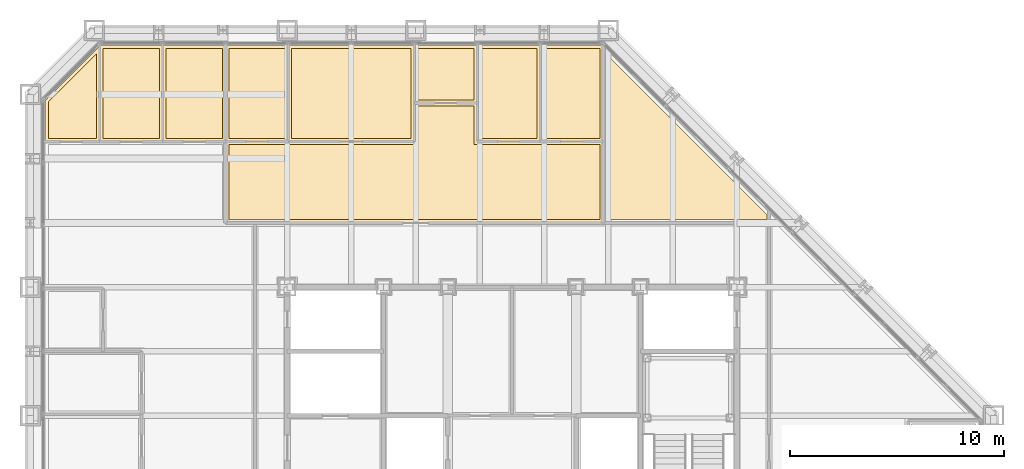
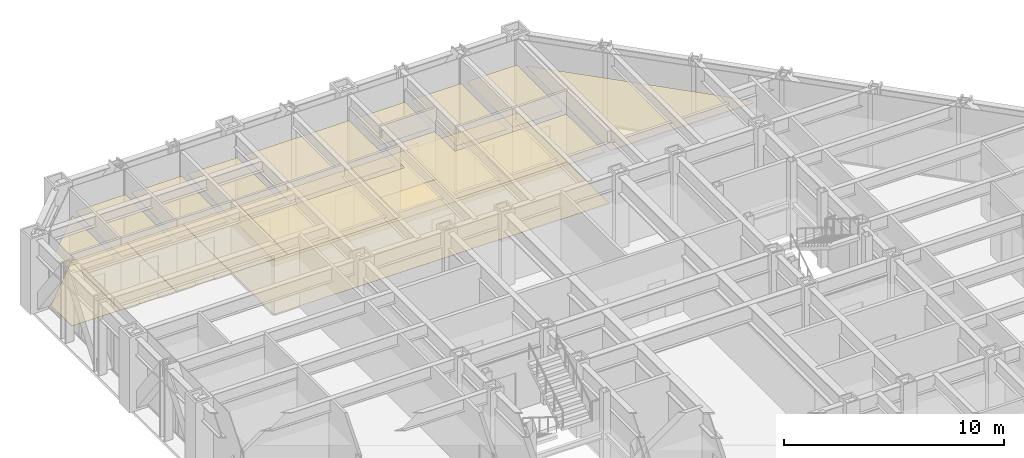
# One storey, part 16 of 16: 19 coverings.
"""IFC4 building model written with IfcOpenShell, lengths in metres."""

from ifc_helpers import new_model, si_unit, direction, frame, origin, place, context, subcontext, project, spatial, polyline, outline, extrude, material, layer, layer_set, type_object, element, save


model = new_model("IFC4")

# Units and contexts
model_context = context("Model", 3, precision=1e-05, world=origin(), true_north=direction((0.0, 1.0)))
body_context = subcontext(model_context, "Body", "Model", "MODEL_VIEW")
ifc_project = project(units=[si_unit("LENGTHUNIT", "METRE"), si_unit("AREAUNIT", "SQUARE_METRE"), si_unit("VOLUMEUNIT", "CUBIC_METRE"), si_unit("PLANEANGLEUNIT", "RADIAN"), si_unit("MASSUNIT", "GRAM", prefix="KILO")], contexts=[model_context])

# Site, building, storey
site_placement = place(None, origin())
site = spatial("IfcSite", under=ifc_project, at=site_placement, CompositionType="ELEMENT")
building_placement = place(site_placement, origin())
building = spatial("IfcBuilding", under=site, at=building_placement, Name="Chuquiago Exchange Tower", CompositionType="ELEMENT")
storey_placement = place(building_placement, frame((0.0, 0.0, 115.199951171875)))
storey = spatial("IfcBuildingStorey", under=building, at=storey_placement, Name="L24", CompositionType="ELEMENT", Elevation=115.199951171875)

# Coverings
ifc_material_1 = material(Name="Mineral fibre tile, 600 x 600, on pale metal grid", Category="mineral fibre")
ifc_layer_1 = layer(ifc_material_1, 0.02001953125)
ifc_layer_set_1 = layer_set([ifc_layer_1], Name="CL1 suspended tile ceiling 20")
covering_type_1 = type_object("IfcCoveringType", Name="CL1 suspended tile ceiling 20", PredefinedType="CEILING", material=ifc_layer_set_1)
covering_1_placement = place(storey_placement, frame((0.0, 0.0, 2.800048828125)))
element("IfcCovering", 1, at=covering_1_placement, inside=storey, type_object=covering_type_1, Name="Ceiling Meeting room", PredefinedType="CEILING", context=body_context, shape_type="SweptSolid", body=[
    extrude(outline(polyline([(3.098388671875, 43.896484375), (3.098388671875, 39.949951171875), (0.85009765625, 39.949951171875), (0.85009765625, 41.64794921875), (3.098388671875, 43.896484375)])), origin(), (0.0, 0.0, 1.0), 0.02001953125),
])
covering_2_placement = place(storey_placement, frame((0.0, 0.0, 2.800048828125)))
element("IfcCovering", 2, at=covering_2_placement, inside=storey, type_object=covering_type_1, Name="Ceiling Office", PredefinedType="CEILING", context=body_context, shape_type="SweptSolid", body=[
    extrude(outline(polyline([(6.036376953125, 44.14990234375), (6.036376953125, 39.949951171875), (3.3984375, 39.949951171875), (3.3984375, 44.14990234375), (6.036376953125, 44.14990234375)])), origin(), (0.0, 0.0, 1.0), 0.02001953125),
])
covering_3_placement = place(storey_placement, frame((0.0, 0.0, 2.800048828125)))
element("IfcCovering", 3, at=covering_3_placement, inside=storey, type_object=covering_type_1, Name="Ceiling Office", PredefinedType="CEILING", context=body_context, shape_type="SweptSolid", body=[
    extrude(outline(polyline([(8.974365234375, 39.949951171875), (6.33642578125, 39.949951171875), (6.33642578125, 44.14990234375), (8.974365234375, 44.14990234375), (8.974365234375, 39.949951171875)])), origin(), (0.0, 0.0, 1.0), 0.02001953125),
])
covering_4_placement = place(storey_placement, frame((0.0, 0.0, 2.800048828125)))
element("IfcCovering", 4, at=covering_4_placement, inside=storey, type_object=covering_type_1, Name="Ceiling Office", PredefinedType="CEILING", context=body_context, shape_type="SweptSolid", body=[
    extrude(outline(polyline([(11.912109375, 39.949951171875), (9.2744140625, 39.949951171875), (9.2744140625, 44.14990234375), (11.912109375, 44.14990234375), (11.912109375, 39.949951171875)])), origin(), (0.0, 0.0, 1.0), 0.02001953125),
])
covering_5_placement = place(storey_placement, frame((0.0, 0.0, 2.800048828125)))
element("IfcCovering", 5, at=covering_5_placement, inside=storey, type_object=covering_type_1, Name="Ceiling Meeting room", PredefinedType="CEILING", context=body_context, shape_type="SweptSolid", body=[
    extrude(outline(polyline([(17.787841796875, 39.949951171875), (12.212158203125, 39.949951171875), (12.212158203125, 44.14990234375), (17.787841796875, 44.14990234375), (17.787841796875, 39.949951171875)])), origin(), (0.0, 0.0, 1.0), 0.02001953125),
])
covering_6_placement = place(storey_placement, frame((0.0, 0.0, 2.800048828125)))
element("IfcCovering", 6, at=covering_6_placement, inside=storey, type_object=covering_type_1, Name="Ceiling Focus room", PredefinedType="CEILING", context=body_context, shape_type="SweptSolid", body=[
    extrude(outline(polyline([(20.7255859375, 41.75), (18.087890625, 41.75), (18.087890625, 44.14990234375), (20.7255859375, 44.14990234375), (20.7255859375, 41.75)])), origin(), (0.0, 0.0, 1.0), 0.02001953125),
])
covering_7_placement = place(storey_placement, frame((0.0, 0.0, 2.800048828125)))
element("IfcCovering", 7, at=covering_7_placement, inside=storey, type_object=covering_type_1, Name="Ceiling Office", PredefinedType="CEILING", context=body_context, shape_type="SweptSolid", body=[
    extrude(outline(polyline([(23.66357421875, 39.949951171875), (21.025634765625, 39.949951171875), (21.025634765625, 44.14990234375), (23.66357421875, 44.14990234375), (23.66357421875, 39.949951171875)])), origin(), (0.0, 0.0, 1.0), 0.02001953125),
])
covering_8_placement = place(storey_placement, frame((0.0, 0.0, 2.800048828125)))
element("IfcCovering", 8, at=covering_8_placement, inside=storey, type_object=covering_type_1, Name="Ceiling Office", PredefinedType="CEILING", context=body_context, shape_type="SweptSolid", body=[
    extrude(outline(polyline([(26.6015625, 39.949951171875), (23.963623046875, 39.949951171875), (23.963623046875, 44.14990234375), (26.6015625, 44.14990234375), (26.6015625, 39.949951171875)])), origin(), (0.0, 0.0, 1.0), 0.02001953125),
])
covering_9_placement = place(storey_placement, frame((0.0, 0.0, 2.800048828125)))
element("IfcCovering", 9, at=covering_9_placement, inside=storey, type_object=covering_type_1, Name="Ceiling Open office north suite", PredefinedType="CEILING", context=body_context, shape_type="SweptSolid", body=[
    extrude(outline(polyline([(18.087890625, 39.64990234375), (18.087890625, 41.449951171875), (20.7255859375, 41.449951171875), (20.7255859375, 39.64990234375), (26.60107421875, 39.64990234375), (26.60107421875, 36.150390625), (9.27490234375, 36.150390625), (9.27490234375, 39.64990234375), (18.087890625, 39.64990234375)])), origin(), (0.0, 0.0, 1.0), 0.02001953125),
])
covering_10_placement = place(storey_placement, frame((0.0, 0.0, 2.800048828125)))
element("IfcCovering", 10, at=covering_10_placement, inside=storey, type_object=covering_type_1, Name="Ceiling Open office east suite", PredefinedType="CEILING", context=body_context, shape_type="SweptSolid", body=[
    extrude(outline(polyline([(26.902099609375, 36.150390625), (26.902099609375, 43.89599609375), (34.4150390625, 36.383056640625), (34.4150390625, 36.150146484375), (26.902099609375, 36.150390625)])), origin(), (0.0, 0.0, 1.0), 0.02001953125),
])
ifc_material_2 = material(Name="Carpet tile, 500 x 500, on the floor slab", Category="textile")
ifc_layer_2 = layer(ifc_material_2, 0.010009765625)
ifc_layer_set_2 = layer_set([ifc_layer_2], Name="FL1 carpet tile 10")
covering_type_2 = type_object("IfcCoveringType", Name="FL1 carpet tile 10", PredefinedType="FLOORING", material=ifc_layer_set_2)
covering_11_placement = place(storey_placement, origin())
element("IfcCovering", 11, at=covering_11_placement, inside=storey, type_object=covering_type_2, Name="Floor finish Meeting room", PredefinedType="FLOORING", context=body_context, shape_type="SweptSolid", body=[
    extrude(outline(polyline([(0.699951171875, 41.710205078125), (3.24853515625, 44.258544921875), (3.24853515625, 39.800048828125), (0.699951171875, 39.800048828125), (0.699951171875, 41.710205078125)])), origin(), (0.0, 0.0, 1.0), 0.010009765625),
])
covering_12_placement = place(storey_placement, origin())
element("IfcCovering", 12, at=covering_12_placement, inside=storey, type_object=covering_type_2, Name="Floor finish Office", PredefinedType="FLOORING", context=body_context, shape_type="SweptSolid", body=[
    extrude(outline(polyline([(3.289794921875, 44.300048828125), (6.186279296875, 44.300048828125), (6.186279296875, 39.800048828125), (3.24853515625, 39.800048828125), (3.24853515625, 44.258544921875), (3.289794921875, 44.300048828125)])), origin(), (0.0, 0.0, 1.0), 0.010009765625),
])
covering_13_placement = place(storey_placement, origin())
element("IfcCovering", 13, at=covering_13_placement, inside=storey, type_object=covering_type_2, Name="Floor finish Office", PredefinedType="FLOORING", context=body_context, shape_type="SweptSolid", body=[
    extrude(outline(polyline([(9.124267578125, 44.300048828125), (9.124267578125, 39.800048828125), (6.186279296875, 39.800048828125), (6.186279296875, 44.300048828125), (9.124267578125, 44.300048828125)])), origin(), (0.0, 0.0, 1.0), 0.010009765625),
])
covering_14_placement = place(storey_placement, origin())
element("IfcCovering", 14, at=covering_14_placement, inside=storey, type_object=covering_type_2, Name="Floor finish Office", PredefinedType="FLOORING", context=body_context, shape_type="SweptSolid", body=[
    extrude(outline(polyline([(12.06201171875, 44.300048828125), (12.06201171875, 39.800048828125), (9.124267578125, 39.800048828125), (9.124267578125, 44.300048828125), (12.06201171875, 44.300048828125)])), origin(), (0.0, 0.0, 1.0), 0.010009765625),
])
covering_15_placement = place(storey_placement, origin())
element("IfcCovering", 15, at=covering_15_placement, inside=storey, type_object=covering_type_2, Name="Floor finish Meeting room", PredefinedType="FLOORING", context=body_context, shape_type="SweptSolid", body=[
    extrude(outline(polyline([(17.93798828125, 44.300048828125), (17.93798828125, 39.800048828125), (12.06201171875, 39.800048828125), (12.06201171875, 44.300048828125), (17.93798828125, 44.300048828125)])), origin(), (0.0, 0.0, 1.0), 0.010009765625),
])
covering_16_placement = place(storey_placement, origin())
element("IfcCovering", 16, at=covering_16_placement, inside=storey, type_object=covering_type_2, Name="Floor finish Focus room", PredefinedType="FLOORING", context=body_context, shape_type="SweptSolid", body=[
    extrude(outline(polyline([(20.875732421875, 44.300048828125), (20.875732421875, 41.60009765625), (17.93798828125, 41.60009765625), (17.93798828125, 44.300048828125), (20.875732421875, 44.300048828125)])), origin(), (0.0, 0.0, 1.0), 0.010009765625),
])
covering_17_placement = place(storey_placement, origin())
element("IfcCovering", 17, at=covering_17_placement, inside=storey, type_object=covering_type_2, Name="Floor finish Office", PredefinedType="FLOORING", context=body_context, shape_type="SweptSolid", body=[
    extrude(outline(polyline([(23.813720703125, 44.300048828125), (23.813720703125, 39.800048828125), (20.875732421875, 39.800048828125), (20.875732421875, 44.300048828125), (23.813720703125, 44.300048828125)])), origin(), (0.0, 0.0, 1.0), 0.010009765625),
])
covering_18_placement = place(storey_placement, origin())
element("IfcCovering", 18, at=covering_18_placement, inside=storey, type_object=covering_type_2, Name="Floor finish Office", PredefinedType="FLOORING", context=body_context, shape_type="SweptSolid", body=[
    extrude(outline(polyline([(26.710205078125, 44.300048828125), (26.75146484375, 44.258544921875), (26.75146484375, 39.800048828125), (23.813720703125, 39.800048828125), (23.813720703125, 44.300048828125), (26.710205078125, 44.300048828125)])), origin(), (0.0, 0.0, 1.0), 0.010009765625),
])
covering_19_placement = place(storey_placement, origin())
element("IfcCovering", 19, at=covering_19_placement, inside=storey, type_object=covering_type_2, Name="Floor finish Open office north suite", PredefinedType="FLOORING", context=body_context, shape_type="SweptSolid", body=[
    extrude(outline(polyline([(9.124755859375, 39.800048828125), (17.93798828125, 39.800048828125), (17.93798828125, 41.60009765625), (20.875732421875, 41.60009765625), (20.875732421875, 39.800048828125), (26.7509765625, 39.800048828125), (26.7509765625, 36.00048828125), (9.124755859375, 36.00048828125), (9.124755859375, 39.800048828125)])), origin(), (0.0, 0.0, 1.0), 0.010009765625),
])

save(model, "model.ifc")
